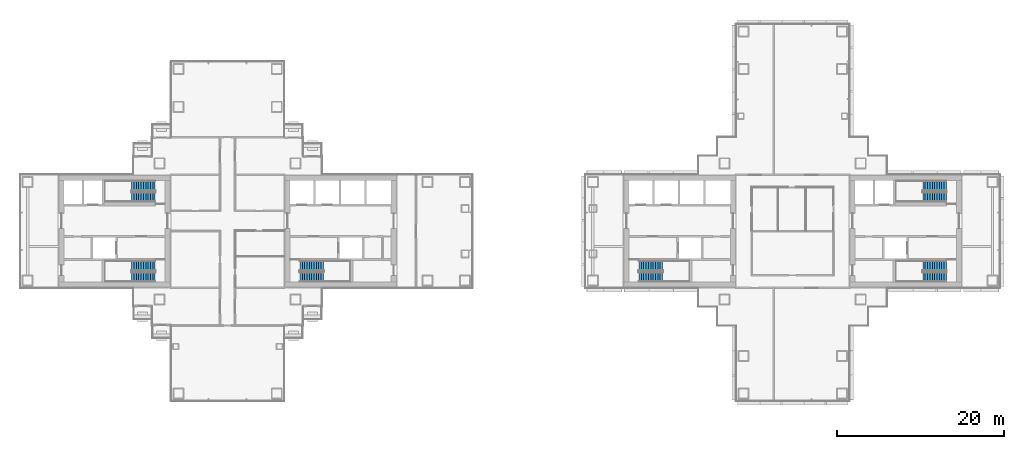
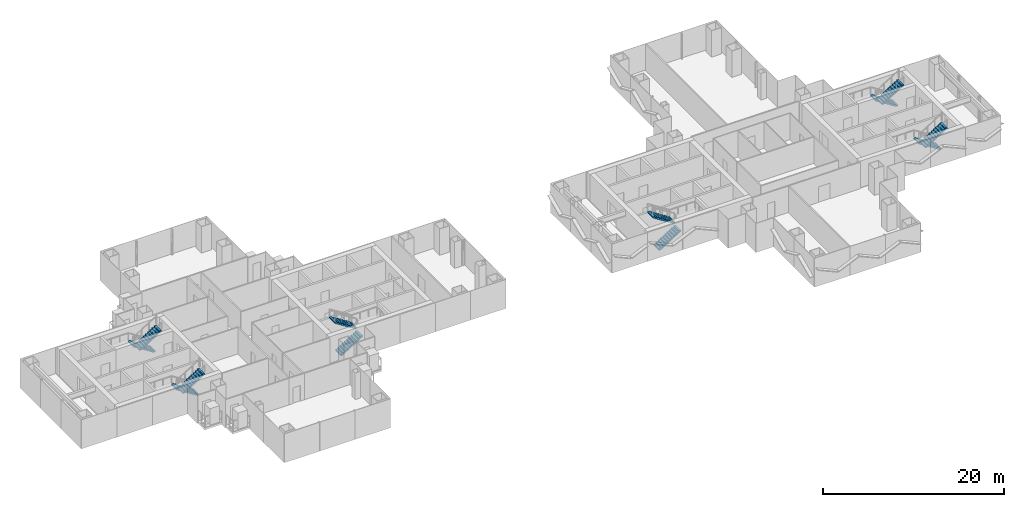
# One storey, part 16 of 20: 12 stair flights, 6 elements without a shape of their own.
"""IFC4 building model written with IfcOpenShell, lengths in metres."""

import ifcopenshell
import ifcopenshell.guid

model = None  # the IFC model being written
_history = None  # IfcOwnerHistory: only IFC2X3 demands one
_inside = {}  # id of a spatial element -> (the spatial element, [elements in it])
_under = {}  # id of a project, library or spatial element -> (it, [spatial elements below it])
_declared = {}  # id of a project -> (the project, [libraries it declares])
_typed = {}  # id of a type object -> (the type object, [elements of that type])
_made_of = {}  # id of a material, layer set ... -> (it, [elements and type objects made of it])


def new_model(schema):
    """Start an empty IFC model of exactly this schema.

    Asked for "IFC4X3", IfcOpenShell would pick the latest addendum, in which some entities
    have other attributes; the version numbers below select the first issue.
    IFC2X3 requires an IfcOwnerHistory on every rooted entity: one is made here for all.
    """
    global model, _history
    if schema == "IFC4X3":
        model = ifcopenshell.file(schema_version=(4, 3, 0, 0))
    else:
        model = ifcopenshell.file(schema=schema)
    _inside.clear()
    _under.clear()
    _declared.clear()
    _typed.clear()
    _made_of.clear()
    _history = None
    if model.schema == "IFC2X3":
        org = make("IfcOrganization", Name="unknown")
        user = make(
            "IfcPersonAndOrganization",
            ThePerson=make("IfcPerson", FamilyName="unknown"),
            TheOrganization=org,
        )
        app = make(
            "IfcApplication",
            ApplicationDeveloper=org,
            Version="unknown",
            ApplicationFullName="unknown",
            ApplicationIdentifier="unknown",
        )
        _history = make(
            "IfcOwnerHistory",
            OwningUser=user,
            OwningApplication=app,
            ChangeAction="ADDED",
            CreationDate=0,
        )
    return model


def make(cls, **values):
    """One entity of the class cls with the attributes given. An attribute that is None is left unset."""
    return model.create_entity(
        cls, **{name: value for name, value in values.items() if value is not None}
    )


def rooted(cls, **values):
    """An entity with a GlobalId (a new one), such as an element, a storey or a relation."""
    return make(cls, GlobalId=ifcopenshell.guid.new(), OwnerHistory=_history, **values)


def si_unit(unit_type, name, prefix=None):
    """IfcSIUnit, for example si_unit("LENGTHUNIT", "METRE", prefix="MILLI")."""
    return make("IfcSIUnit", UnitType=unit_type, Prefix=prefix, Name=name)


def assignment(units):
    """IfcUnitAssignment: the units of a project."""
    return None if units is None else make("IfcUnitAssignment", Units=units)


def point(xyz):
    """IfcCartesianPoint."""
    return None if xyz is None else make("IfcCartesianPoint", Coordinates=xyz)


def direction(xyz):
    """IfcDirection."""
    return None if xyz is None else make("IfcDirection", DirectionRatios=xyz)


def frame(location, z_axis=None, x_axis=None):
    """IfcAxis2Placement3D, a coordinate frame: its origin and axes. An axis left out is left unset."""
    return make(
        "IfcAxis2Placement3D",
        Location=point(location),
        Axis=direction(z_axis),
        RefDirection=direction(x_axis),
    )


def origin():
    """The frame at (0, 0, 0) with its axes left unset."""
    return frame((0.0, 0.0, 0.0))


def place(relative_to, where):
    """IfcLocalPlacement: puts the frame where relative to a parent placement (None: the world)."""
    return make(
        "IfcLocalPlacement", PlacementRelTo=relative_to, RelativePlacement=where
    )


def context(
    kind, dimensions, precision=None, world=None, true_north=None, identifier=None
):
    """IfcGeometricRepresentationContext, for example the 3D "Model" context."""
    return make(
        "IfcGeometricRepresentationContext",
        ContextIdentifier=identifier,
        ContextType=kind,
        CoordinateSpaceDimension=dimensions,
        Precision=precision,
        WorldCoordinateSystem=world,
        TrueNorth=true_north,
    )


def subcontext(parent, identifier, kind, view, scale=None):
    """IfcGeometricRepresentationSubContext, for example "Body" below "Model"."""
    return make(
        "IfcGeometricRepresentationSubContext",
        ContextIdentifier=identifier,
        ContextType=kind,
        ParentContext=parent,
        TargetScale=scale,
        TargetView=view,
    )


def project(units=None, contexts=None):
    """IfcProject with its units and contexts."""
    return rooted(
        "IfcProject",
        Name="project",
        RepresentationContexts=contexts,
        UnitsInContext=assignment(units),
    )


def spatial(cls, under=None, at=None, **own):
    """A site, building, storey or space (cls), placed at a placement, below another one or the project."""
    s = rooted(cls, ObjectPlacement=at, **own)
    if under is not None:
        _under.setdefault(under.id(), (under, []))[1].append(s)
    return s


def polyline(points):
    """IfcPolyline through the points."""
    return make("IfcPolyline", Points=[point(p) for p in points])


def outline(outer, holes=None, kind="AREA"):
    """IfcArbitraryClosedProfileDef: a profile drawn as a closed curve; with holes, ...WithVoids."""
    if holes is None:
        return make("IfcArbitraryClosedProfileDef", ProfileType=kind, OuterCurve=outer)
    return make(
        "IfcArbitraryProfileDefWithVoids",
        ProfileType=kind,
        OuterCurve=outer,
        InnerCurves=holes,
    )


def extrude(swept, where, along, depth):
    """IfcExtrudedAreaSolid: the profile swept, set in the frame where, extruded along a direction by depth."""
    return make(
        "IfcExtrudedAreaSolid",
        SweptArea=swept,
        Position=where,
        ExtrudedDirection=direction(along),
        Depth=depth,
    )


def shape(context_of_items, identifier, shape_type, items):
    """IfcShapeRepresentation: the items that make up one representation, for example the "Body"."""
    return make(
        "IfcShapeRepresentation",
        ContextOfItems=context_of_items,
        RepresentationIdentifier=identifier,
        RepresentationType=shape_type,
        Items=items,
    )


def material(Name=None, Category=None):
    """IfcMaterial."""
    return make("IfcMaterial", Name=Name, Category=Category)


def made_of(thing, what):
    """Note that an element or type object is made of a material, layer set ...; save() writes the relation."""
    if what is not None:
        _made_of.setdefault(what.id(), (what, []))[1].append(thing)
    return thing


def type_object(cls, material=None, **own):
    """A type object (cls), such as IfcWallType, which elements share."""
    return made_of(rooted(cls, **own), material)


def element(
    cls,
    number,
    at=None,
    inside=None,
    cuts=None,
    type_object=None,
    material=None,
    context=None,
    identifier="Body",
    shape_type=None,
    held_by="IfcProductDefinitionShape",
    body=None,
    shapes=None,
    **own,
):
    """One element of the class cls, such as IfcWall. Its Tag is "e" and its number.

    at: its placement. inside: the storey or other place that contains it. cuts: it is an
    opening in that element (IfcRelVoidsElement). A single representation is given by context,
    identifier, shape_type and body (its items); several are given by shapes. held_by: the class
    of the entity that holds the representations. save() writes the other relations.
    """
    e = rooted(cls, Tag="e%d" % number, ObjectPlacement=at, **own)
    if body is not None:
        shapes = [shape(context, identifier, shape_type, body)]
    if shapes is not None:
        e.Representation = make(held_by, Representations=shapes)
    if inside is not None:
        _inside.setdefault(inside.id(), (inside, []))[1].append(e)
    if cuts is not None:
        rooted(
            "IfcRelVoidsElement", RelatingBuildingElement=cuts, RelatedOpeningElement=e
        )
    if type_object is not None:
        _typed.setdefault(type_object.id(), (type_object, []))[1].append(e)
    return made_of(e, material)


def aggregate(whole, parts):
    """IfcRelAggregates: a whole, such as a stair, and the parts it consists of."""
    return rooted("IfcRelAggregates", RelatingObject=whole, RelatedObjects=parts)


def save(model, path):
    """Write the relations noted so far, then the file.

    IfcRelAggregates (storeys below a building ...), IfcRelContainedInSpatialStructure (elements
    in a storey), IfcRelDefinesByType, IfcRelAssociatesMaterial and IfcRelDeclares: one each for
    every whole, place, type object, material and project.
    """
    for whole, parts in _under.values():
        aggregate(whole, parts)
    for where, things in _inside.values():
        rooted(
            "IfcRelContainedInSpatialStructure",
            RelatedElements=things,
            RelatingStructure=where,
        )
    for kind, things in _typed.values():
        rooted("IfcRelDefinesByType", RelatedObjects=things, RelatingType=kind)
    for what, things in _made_of.values():
        rooted("IfcRelAssociatesMaterial", RelatedObjects=things, RelatingMaterial=what)
    for by, libraries in _declared.values():
        rooted("IfcRelDeclares", RelatingContext=by, RelatedDefinitions=libraries)
    model.write(path)


model = new_model("IFC4")

# Units and contexts
model_context = context("Model", 3, precision=1e-05, world=origin(), true_north=direction((0.0, 1.0)))
body_context = subcontext(model_context, "Body", "Model", "MODEL_VIEW")
ifc_project = project(units=[si_unit("LENGTHUNIT", "METRE"), si_unit("AREAUNIT", "SQUARE_METRE"), si_unit("VOLUMEUNIT", "CUBIC_METRE"), si_unit("PLANEANGLEUNIT", "RADIAN"), si_unit("MASSUNIT", "GRAM", prefix="KILO")], contexts=[model_context])

# Site, building, storey
site_placement = place(None, origin())
site = spatial("IfcSite", under=ifc_project, at=site_placement, CompositionType="ELEMENT")
building_placement = place(site_placement, origin())
building = spatial("IfcBuilding", under=site, at=building_placement, Name="Shamsa Quay Exchange Towers", CompositionType="ELEMENT")
storey_placement = place(building_placement, frame((0.0, 0.0, 101.39990234375)))
storey = spatial("IfcBuildingStorey", under=building, at=storey_placement, Name="L23", CompositionType="ELEMENT", Elevation=101.39990234375)

# Stair, stair flights
ifc_material = material(Name="Concrete C40/50", Category="concrete")
stair_type = type_object("IfcStairType", Name="EXIT STAIR 22 RISERS 177 MM", PredefinedType="HALF_TURN_STAIR", material=ifc_material)
stair_1_placement = place(storey_placement, origin())
stair_1 = element("IfcStair", 1, at=stair_1_placement, inside=storey, type_object=stair_type, Name="L23 Exit stair ST1", PredefinedType="HALF_TURN_STAIR")
stair_flight_type = type_object("IfcStairFlightType", Name="EXIT STAIR FLIGHT 11 RISERS 177 MM", PredefinedType="STRAIGHT", material=ifc_material)
stair_flight_1_placement = place(storey_placement, frame((-25.10009765625, -5.449951171875, 0.0)))
stair_flight_1 = element("IfcStairFlight", 2, at=stair_flight_1_placement, type_object=stair_flight_type, Name="ST1 flight 1", NumberOfRisers=11, NumberOfTreads=10, PredefinedType="STRAIGHT", RiserHeight=0.177272727, TreadLength=0.28, context=body_context, shape_type="SweptSolid", body=[
    extrude(outline(polyline([(0.0, 0.0), (0.0, 0.17724609375), (0.280029296875, 0.17724609375), (0.280029296875, 0.3544921875), (0.56005859375, 0.3544921875), (0.56005859375, 0.53173828125), (0.840087890625, 0.53173828125), (0.840087890625, 0.708984375), (1.1201171875, 0.708984375), (1.1201171875, 0.886474609375), (1.39990234375, 0.886474609375), (1.39990234375, 1.063720703125), (1.679931640625, 1.063720703125), (1.679931640625, 1.240966796875), (1.9599609375, 1.240966796875), (1.9599609375, 1.418212890625), (2.239990234375, 1.418212890625), (2.239990234375, 1.595458984375), (2.52001953125, 1.595458984375), (2.52001953125, 1.772705078125), (2.800048828125, 1.772705078125), (2.800048828125, 1.949951171875), (2.800048828125, 1.607177734375), (0.261474609375, 0.0), (0.0, 0.0)])), frame((0.0, 0.60009765625, 0.0), z_axis=(0.0, -1.0, 0.0), x_axis=(1.0, 0.0, 0.0)), (0.0, 0.0, 1.0), 1.199951171875),
])
stair_flight_2_placement = place(storey_placement, frame((-22.300048828125, -4.10009765625, 1.9501953125), z_axis=(0.0, 0.0, 1.0), x_axis=(-1.0, 0.0, 0.0)))
stair_flight_2 = element("IfcStairFlight", 3, at=stair_flight_2_placement, type_object=stair_flight_type, Name="ST1 flight 2", NumberOfRisers=11, NumberOfTreads=10, PredefinedType="STRAIGHT", RiserHeight=0.177272727, TreadLength=0.28, context=body_context, shape_type="SweptSolid", body=[
    extrude(outline(polyline([(0.0, 0.0), (0.0, 0.17724609375), (0.280029296875, 0.17724609375), (0.280029296875, 0.3544921875), (0.56005859375, 0.3544921875), (0.56005859375, 0.53173828125), (0.840087890625, 0.53173828125), (0.840087890625, 0.708984375), (1.1201171875, 0.708984375), (1.1201171875, 0.886474609375), (1.39990234375, 0.886474609375), (1.39990234375, 1.063720703125), (1.679931640625, 1.063720703125), (1.679931640625, 1.240966796875), (1.9599609375, 1.240966796875), (1.9599609375, 1.418212890625), (2.239990234375, 1.418212890625), (2.239990234375, 1.595458984375), (2.52001953125, 1.595458984375), (2.52001953125, 1.772705078125), (2.800048828125, 1.772705078125), (2.800048828125, 1.949951171875), (2.800048828125, 1.607177734375), (0.261474609375, 0.0), (0.0, 0.0)])), frame((0.0, 0.60009765625, 0.0), z_axis=(0.0, -1.0, 0.0), x_axis=(1.0, 0.0, 0.0)), (0.0, 0.0, 1.0), 1.199951171875),
])
aggregate(stair_1, [stair_flight_1, stair_flight_2])

stair_2_placement = place(storey_placement, origin())
stair_2 = element("IfcStair", 4, at=stair_2_placement, inside=storey, type_object=stair_type, Name="L23 Exit stair ST2", PredefinedType="HALF_TURN_STAIR")
stair_flight_3_placement = place(storey_placement, frame((-42.39990234375, -4.10009765625, 0.0), z_axis=(0.0, 0.0, 1.0), x_axis=(-1.0, 0.0, 0.0)))
stair_flight_3 = element("IfcStairFlight", 5, at=stair_flight_3_placement, type_object=stair_flight_type, Name="ST2 flight 1", NumberOfRisers=11, NumberOfTreads=10, PredefinedType="STRAIGHT", RiserHeight=0.177272727, TreadLength=0.28, context=body_context, shape_type="SweptSolid", body=[
    extrude(outline(polyline([(0.0, 0.0), (0.0, 0.17724609375), (0.280029296875, 0.17724609375), (0.280029296875, 0.3544921875), (0.56005859375, 0.3544921875), (0.56005859375, 0.53173828125), (0.840087890625, 0.53173828125), (0.840087890625, 0.708984375), (1.1201171875, 0.708984375), (1.1201171875, 0.886474609375), (1.39990234375, 0.886474609375), (1.39990234375, 1.063720703125), (1.679931640625, 1.063720703125), (1.679931640625, 1.240966796875), (1.9599609375, 1.240966796875), (1.9599609375, 1.418212890625), (2.239990234375, 1.418212890625), (2.239990234375, 1.595458984375), (2.52001953125, 1.595458984375), (2.52001953125, 1.772705078125), (2.800048828125, 1.772705078125), (2.800048828125, 1.949951171875), (2.800048828125, 1.607177734375), (0.261474609375, 0.0), (0.0, 0.0)])), frame((0.0, 0.60009765625, 0.0), z_axis=(0.0, -1.0, 0.0), x_axis=(1.0, 0.0, 0.0)), (0.0, 0.0, 1.0), 1.199951171875),
])
stair_flight_4_placement = place(storey_placement, frame((-45.199951171875, -5.449951171875, 1.9501953125)))
stair_flight_4 = element("IfcStairFlight", 6, at=stair_flight_4_placement, type_object=stair_flight_type, Name="ST2 flight 2", NumberOfRisers=11, NumberOfTreads=10, PredefinedType="STRAIGHT", RiserHeight=0.177272727, TreadLength=0.28, context=body_context, shape_type="SweptSolid", body=[
    extrude(outline(polyline([(0.0, 0.0), (0.0, 0.17724609375), (0.280029296875, 0.17724609375), (0.280029296875, 0.3544921875), (0.56005859375, 0.3544921875), (0.56005859375, 0.53173828125), (0.840087890625, 0.53173828125), (0.840087890625, 0.708984375), (1.1201171875, 0.708984375), (1.1201171875, 0.886474609375), (1.39990234375, 0.886474609375), (1.39990234375, 1.063720703125), (1.679931640625, 1.063720703125), (1.679931640625, 1.240966796875), (1.9599609375, 1.240966796875), (1.9599609375, 1.418212890625), (2.239990234375, 1.418212890625), (2.239990234375, 1.595458984375), (2.52001953125, 1.595458984375), (2.52001953125, 1.772705078125), (2.800048828125, 1.772705078125), (2.800048828125, 1.949951171875), (2.800048828125, 1.607177734375), (0.261474609375, 0.0), (0.0, 0.0)])), frame((0.0, 0.60009765625, 0.0), z_axis=(0.0, -1.0, 0.0), x_axis=(1.0, 0.0, 0.0)), (0.0, 0.0, 1.0), 1.199951171875),
])
aggregate(stair_2, [stair_flight_3, stair_flight_4])

stair_3_placement = place(storey_placement, origin())
stair_3 = element("IfcStair", 7, at=stair_3_placement, inside=storey, type_object=stair_type, Name="L23 Exit stair ST3", PredefinedType="HALF_TURN_STAIR")
stair_flight_5_placement = place(storey_placement, frame((-42.39990234375, 5.449951171875, 0.0), z_axis=(0.0, 0.0, 1.0), x_axis=(-1.0, 0.0, 0.0)))
stair_flight_5 = element("IfcStairFlight", 8, at=stair_flight_5_placement, type_object=stair_flight_type, Name="ST3 flight 1", NumberOfRisers=11, NumberOfTreads=10, PredefinedType="STRAIGHT", RiserHeight=0.177272727, TreadLength=0.28, context=body_context, shape_type="SweptSolid", body=[
    extrude(outline(polyline([(0.0, 0.0), (0.0, 0.17724609375), (0.280029296875, 0.17724609375), (0.280029296875, 0.3544921875), (0.56005859375, 0.3544921875), (0.56005859375, 0.53173828125), (0.840087890625, 0.53173828125), (0.840087890625, 0.708984375), (1.1201171875, 0.708984375), (1.1201171875, 0.886474609375), (1.39990234375, 0.886474609375), (1.39990234375, 1.063720703125), (1.679931640625, 1.063720703125), (1.679931640625, 1.240966796875), (1.9599609375, 1.240966796875), (1.9599609375, 1.418212890625), (2.239990234375, 1.418212890625), (2.239990234375, 1.595458984375), (2.52001953125, 1.595458984375), (2.52001953125, 1.772705078125), (2.800048828125, 1.772705078125), (2.800048828125, 1.949951171875), (2.800048828125, 1.607177734375), (0.261474609375, 0.0), (0.0, 0.0)])), frame((0.0, 0.60009765625, 0.0), z_axis=(0.0, -1.0, 0.0), x_axis=(1.0, 0.0, 0.0)), (0.0, 0.0, 1.0), 1.199951171875),
])
stair_flight_6_placement = place(storey_placement, frame((-45.199951171875, 4.10009765625, 1.9501953125)))
stair_flight_6 = element("IfcStairFlight", 9, at=stair_flight_6_placement, type_object=stair_flight_type, Name="ST3 flight 2", NumberOfRisers=11, NumberOfTreads=10, PredefinedType="STRAIGHT", RiserHeight=0.177272727, TreadLength=0.28, context=body_context, shape_type="SweptSolid", body=[
    extrude(outline(polyline([(0.0, 0.0), (0.0, 0.17724609375), (0.280029296875, 0.17724609375), (0.280029296875, 0.3544921875), (0.56005859375, 0.3544921875), (0.56005859375, 0.53173828125), (0.840087890625, 0.53173828125), (0.840087890625, 0.708984375), (1.1201171875, 0.708984375), (1.1201171875, 0.886474609375), (1.39990234375, 0.886474609375), (1.39990234375, 1.063720703125), (1.679931640625, 1.063720703125), (1.679931640625, 1.240966796875), (1.9599609375, 1.240966796875), (1.9599609375, 1.418212890625), (2.239990234375, 1.418212890625), (2.239990234375, 1.595458984375), (2.52001953125, 1.595458984375), (2.52001953125, 1.772705078125), (2.800048828125, 1.772705078125), (2.800048828125, 1.949951171875), (2.800048828125, 1.607177734375), (0.261474609375, 0.0), (0.0, 0.0)])), frame((0.0, 0.60009765625, 0.0), z_axis=(0.0, -1.0, 0.0), x_axis=(1.0, 0.0, 0.0)), (0.0, 0.0, 1.0), 1.199951171875),
])
aggregate(stair_3, [stair_flight_5, stair_flight_6])

stair_4_placement = place(storey_placement, origin())
stair_4 = element("IfcStair", 10, at=stair_4_placement, inside=storey, type_object=stair_type, Name="L23 Exit stair ST4", PredefinedType="HALF_TURN_STAIR")
stair_flight_7_placement = place(storey_placement, frame((15.39990234375, -5.449951171875, 0.0)))
stair_flight_7 = element("IfcStairFlight", 11, at=stair_flight_7_placement, type_object=stair_flight_type, Name="ST4 flight 1", NumberOfRisers=11, NumberOfTreads=10, PredefinedType="STRAIGHT", RiserHeight=0.177272727, TreadLength=0.28, context=body_context, shape_type="SweptSolid", body=[
    extrude(outline(polyline([(0.0, 0.0), (0.0, 0.17724609375), (0.280029296875, 0.17724609375), (0.280029296875, 0.3544921875), (0.56005859375, 0.3544921875), (0.56005859375, 0.53173828125), (0.840087890625, 0.53173828125), (0.840087890625, 0.708984375), (1.1201171875, 0.708984375), (1.1201171875, 0.886474609375), (1.39990234375, 0.886474609375), (1.39990234375, 1.063720703125), (1.679931640625, 1.063720703125), (1.679931640625, 1.240966796875), (1.9599609375, 1.240966796875), (1.9599609375, 1.418212890625), (2.239990234375, 1.418212890625), (2.239990234375, 1.595458984375), (2.52001953125, 1.595458984375), (2.52001953125, 1.772705078125), (2.800048828125, 1.772705078125), (2.800048828125, 1.949951171875), (2.800048828125, 1.607177734375), (0.261474609375, 0.0), (0.0, 0.0)])), frame((0.0, 0.60009765625, 0.0), z_axis=(0.0, -1.0, 0.0), x_axis=(1.0, 0.0, 0.0)), (0.0, 0.0, 1.0), 1.199951171875),
])
stair_flight_8_placement = place(storey_placement, frame((18.199951171875, -4.10009765625, 1.9501953125), z_axis=(0.0, 0.0, 1.0), x_axis=(-1.0, 0.0, 0.0)))
stair_flight_8 = element("IfcStairFlight", 12, at=stair_flight_8_placement, type_object=stair_flight_type, Name="ST4 flight 2", NumberOfRisers=11, NumberOfTreads=10, PredefinedType="STRAIGHT", RiserHeight=0.177272727, TreadLength=0.28, context=body_context, shape_type="SweptSolid", body=[
    extrude(outline(polyline([(0.0, 0.0), (0.0, 0.17724609375), (0.280029296875, 0.17724609375), (0.280029296875, 0.3544921875), (0.56005859375, 0.3544921875), (0.56005859375, 0.53173828125), (0.840087890625, 0.53173828125), (0.840087890625, 0.708984375), (1.1201171875, 0.708984375), (1.1201171875, 0.886474609375), (1.39990234375, 0.886474609375), (1.39990234375, 1.063720703125), (1.679931640625, 1.063720703125), (1.679931640625, 1.240966796875), (1.9599609375, 1.240966796875), (1.9599609375, 1.418212890625), (2.239990234375, 1.418212890625), (2.239990234375, 1.595458984375), (2.52001953125, 1.595458984375), (2.52001953125, 1.772705078125), (2.800048828125, 1.772705078125), (2.800048828125, 1.949951171875), (2.800048828125, 1.607177734375), (0.261474609375, 0.0), (0.0, 0.0)])), frame((0.0, 0.60009765625, 0.0), z_axis=(0.0, -1.0, 0.0), x_axis=(1.0, 0.0, 0.0)), (0.0, 0.0, 1.0), 1.199951171875),
])
aggregate(stair_4, [stair_flight_7, stair_flight_8])

stair_5_placement = place(storey_placement, origin())
stair_5 = element("IfcStair", 13, at=stair_5_placement, inside=storey, type_object=stair_type, Name="L23 Exit stair ST5", PredefinedType="HALF_TURN_STAIR")
stair_flight_9_placement = place(storey_placement, frame((52.10009765625, -4.10009765625, 0.0), z_axis=(0.0, 0.0, 1.0), x_axis=(-1.0, 0.0, 0.0)))
stair_flight_9 = element("IfcStairFlight", 14, at=stair_flight_9_placement, type_object=stair_flight_type, Name="ST5 flight 1", NumberOfRisers=11, NumberOfTreads=10, PredefinedType="STRAIGHT", RiserHeight=0.177272727, TreadLength=0.28, context=body_context, shape_type="SweptSolid", body=[
    extrude(outline(polyline([(0.0, 0.0), (0.0, 0.17724609375), (0.280029296875, 0.17724609375), (0.280029296875, 0.3544921875), (0.56005859375, 0.3544921875), (0.56005859375, 0.53173828125), (0.840087890625, 0.53173828125), (0.840087890625, 0.708984375), (1.1201171875, 0.708984375), (1.1201171875, 0.886474609375), (1.39990234375, 0.886474609375), (1.39990234375, 1.063720703125), (1.679931640625, 1.063720703125), (1.679931640625, 1.240966796875), (1.9599609375, 1.240966796875), (1.9599609375, 1.418212890625), (2.239990234375, 1.418212890625), (2.239990234375, 1.595458984375), (2.52001953125, 1.595458984375), (2.52001953125, 1.772705078125), (2.800048828125, 1.772705078125), (2.800048828125, 1.949951171875), (2.800048828125, 1.607177734375), (0.261474609375, 0.0), (0.0, 0.0)])), frame((0.0, 0.60009765625, 0.0), z_axis=(0.0, -1.0, 0.0), x_axis=(1.0, 0.0, 0.0)), (0.0, 0.0, 1.0), 1.199951171875),
])
stair_flight_10_placement = place(storey_placement, frame((49.300048828125, -5.449951171875, 1.9501953125)))
stair_flight_10 = element("IfcStairFlight", 15, at=stair_flight_10_placement, type_object=stair_flight_type, Name="ST5 flight 2", NumberOfRisers=11, NumberOfTreads=10, PredefinedType="STRAIGHT", RiserHeight=0.177272727, TreadLength=0.28, context=body_context, shape_type="SweptSolid", body=[
    extrude(outline(polyline([(0.0, 0.0), (0.0, 0.17724609375), (0.280029296875, 0.17724609375), (0.280029296875, 0.3544921875), (0.56005859375, 0.3544921875), (0.56005859375, 0.53173828125), (0.840087890625, 0.53173828125), (0.840087890625, 0.708984375), (1.1201171875, 0.708984375), (1.1201171875, 0.886474609375), (1.39990234375, 0.886474609375), (1.39990234375, 1.063720703125), (1.679931640625, 1.063720703125), (1.679931640625, 1.240966796875), (1.9599609375, 1.240966796875), (1.9599609375, 1.418212890625), (2.239990234375, 1.418212890625), (2.239990234375, 1.595458984375), (2.52001953125, 1.595458984375), (2.52001953125, 1.772705078125), (2.800048828125, 1.772705078125), (2.800048828125, 1.949951171875), (2.800048828125, 1.607177734375), (0.261474609375, 0.0), (0.0, 0.0)])), frame((0.0, 0.60009765625, 0.0), z_axis=(0.0, -1.0, 0.0), x_axis=(1.0, 0.0, 0.0)), (0.0, 0.0, 1.0), 1.199951171875),
])
aggregate(stair_5, [stair_flight_9, stair_flight_10])

stair_6_placement = place(storey_placement, origin())
stair_6 = element("IfcStair", 16, at=stair_6_placement, inside=storey, type_object=stair_type, Name="L23 Exit stair ST6", PredefinedType="HALF_TURN_STAIR")
stair_flight_11_placement = place(storey_placement, frame((52.10009765625, 5.449951171875, 0.0), z_axis=(0.0, 0.0, 1.0), x_axis=(-1.0, 0.0, 0.0)))
stair_flight_11 = element("IfcStairFlight", 17, at=stair_flight_11_placement, type_object=stair_flight_type, Name="ST6 flight 1", NumberOfRisers=11, NumberOfTreads=10, PredefinedType="STRAIGHT", RiserHeight=0.177272727, TreadLength=0.28, context=body_context, shape_type="SweptSolid", body=[
    extrude(outline(polyline([(0.0, 0.0), (0.0, 0.17724609375), (0.280029296875, 0.17724609375), (0.280029296875, 0.3544921875), (0.56005859375, 0.3544921875), (0.56005859375, 0.53173828125), (0.840087890625, 0.53173828125), (0.840087890625, 0.708984375), (1.1201171875, 0.708984375), (1.1201171875, 0.886474609375), (1.39990234375, 0.886474609375), (1.39990234375, 1.063720703125), (1.679931640625, 1.063720703125), (1.679931640625, 1.240966796875), (1.9599609375, 1.240966796875), (1.9599609375, 1.418212890625), (2.239990234375, 1.418212890625), (2.239990234375, 1.595458984375), (2.52001953125, 1.595458984375), (2.52001953125, 1.772705078125), (2.800048828125, 1.772705078125), (2.800048828125, 1.949951171875), (2.800048828125, 1.607177734375), (0.261474609375, 0.0), (0.0, 0.0)])), frame((0.0, 0.60009765625, 0.0), z_axis=(0.0, -1.0, 0.0), x_axis=(1.0, 0.0, 0.0)), (0.0, 0.0, 1.0), 1.199951171875),
])
stair_flight_12_placement = place(storey_placement, frame((49.300048828125, 4.10009765625, 1.9501953125)))
stair_flight_12 = element("IfcStairFlight", 18, at=stair_flight_12_placement, type_object=stair_flight_type, Name="ST6 flight 2", NumberOfRisers=11, NumberOfTreads=10, PredefinedType="STRAIGHT", RiserHeight=0.177272727, TreadLength=0.28, context=body_context, shape_type="SweptSolid", body=[
    extrude(outline(polyline([(0.0, 0.0), (0.0, 0.17724609375), (0.280029296875, 0.17724609375), (0.280029296875, 0.3544921875), (0.56005859375, 0.3544921875), (0.56005859375, 0.53173828125), (0.840087890625, 0.53173828125), (0.840087890625, 0.708984375), (1.1201171875, 0.708984375), (1.1201171875, 0.886474609375), (1.39990234375, 0.886474609375), (1.39990234375, 1.063720703125), (1.679931640625, 1.063720703125), (1.679931640625, 1.240966796875), (1.9599609375, 1.240966796875), (1.9599609375, 1.418212890625), (2.239990234375, 1.418212890625), (2.239990234375, 1.595458984375), (2.52001953125, 1.595458984375), (2.52001953125, 1.772705078125), (2.800048828125, 1.772705078125), (2.800048828125, 1.949951171875), (2.800048828125, 1.607177734375), (0.261474609375, 0.0), (0.0, 0.0)])), frame((0.0, 0.60009765625, 0.0), z_axis=(0.0, -1.0, 0.0), x_axis=(1.0, 0.0, 0.0)), (0.0, 0.0, 1.0), 1.199951171875),
])
aggregate(stair_6, [stair_flight_11, stair_flight_12])

save(model, "model.ifc")
